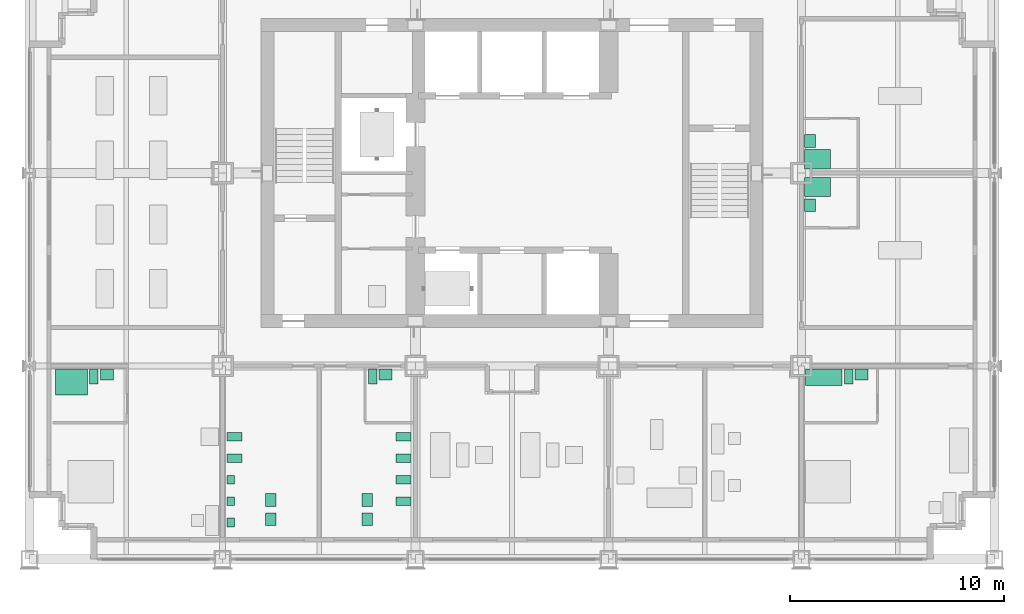
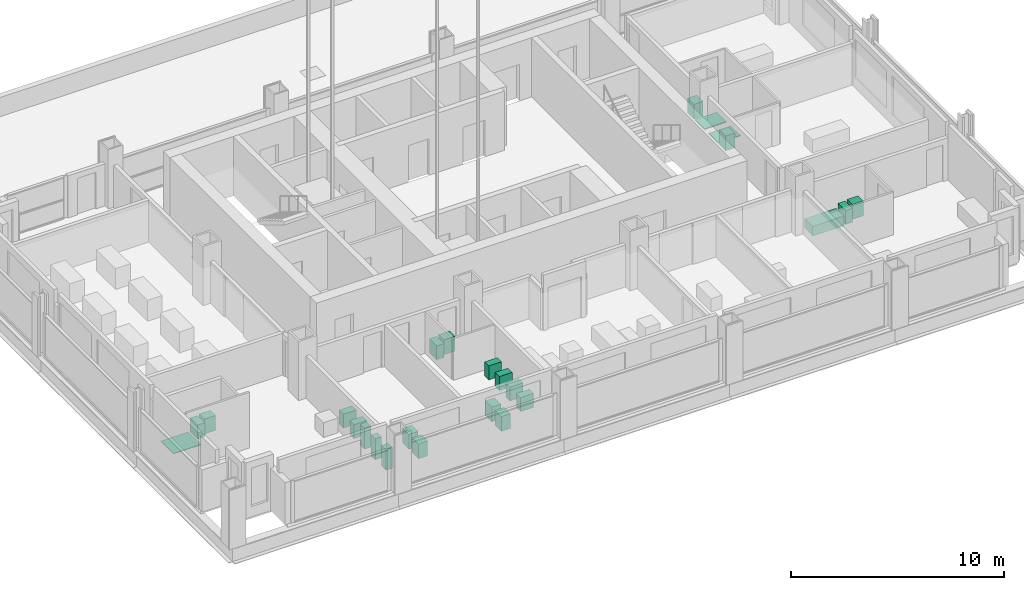
# One storey, part 13 of 15: 25 sanitary terminals.
"""IFC4 building model written with IfcOpenShell, lengths in metres."""

from ifc_helpers import new_model, si_unit, direction, frame, origin, origin_2d, place, context, subcontext, project, spatial, rectangle, extrude, element, save


model = new_model("IFC4")

# Units and contexts
model_context = context("Model", 3, precision=1e-05, world=origin(), true_north=direction((0.0, 1.0)))
body_context = subcontext(model_context, "Body", "Model", "MODEL_VIEW")
ifc_project = project(units=[si_unit("LENGTHUNIT", "METRE"), si_unit("AREAUNIT", "SQUARE_METRE"), si_unit("VOLUMEUNIT", "CUBIC_METRE"), si_unit("PLANEANGLEUNIT", "RADIAN"), si_unit("MASSUNIT", "GRAM", prefix="KILO")], contexts=[model_context])

# Site, building, storey
site_placement = place(None, origin())
site = spatial("IfcSite", under=ifc_project, at=site_placement, CompositionType="ELEMENT")
building_placement = place(site_placement, origin())
building = spatial("IfcBuilding", under=site, at=building_placement, Name="Loomwork Tower", CompositionType="ELEMENT")
storey_placement = place(building_placement, frame((0.0, 0.0, 160.39990234375)))
storey = spatial("IfcBuildingStorey", under=building, at=storey_placement, Name="L43", CompositionType="ELEMENT", Elevation=160.39990234375)

# Sanitary terminals
sanitary_terminal_1_placement = place(storey_placement, frame((1.949951171875, 8.25, 0.0), z_axis=(0.0, 0.0, 1.0), x_axis=(1.0, 0.0, 0.0)))
element("IfcSanitaryTerminal", 1, at=sanitary_terminal_1_placement, inside=storey, Name="Roll-in shower floor L43", PredefinedType="SHOWER", context=body_context, shape_type="SweptSolid", body=[
    extrude(rectangle(XDim=1.5, YDim=1.199951171875, at=origin_2d()), origin(), (0.0, 0.0, 1.0), 0.030029296875),
])
sanitary_terminal_2_placement = place(storey_placement, frame((3.0, 8.5, 0.0), z_axis=(0.0, 0.0, 1.0), x_axis=(1.0, 0.0, 0.0)))
element("IfcSanitaryTerminal", 2, at=sanitary_terminal_2_placement, inside=storey, Name="WC L43", PredefinedType="TOILETPAN", context=body_context, shape_type="SweptSolid", body=[
    extrude(rectangle(XDim=0.39990234375, YDim=0.699951171875, at=origin_2d()), origin(), (0.0, 0.0, 1.0), 0.800048828125),
])
sanitary_terminal_3_placement = place(storey_placement, frame((3.60009765625, 8.60009765625, 0.0), z_axis=(0.0, 0.0, 1.0), x_axis=(1.0, 0.0, 0.0)))
element("IfcSanitaryTerminal", 3, at=sanitary_terminal_3_placement, inside=storey, Name="Basin vanity L43", PredefinedType="WASHHANDBASIN", context=body_context, shape_type="SweptSolid", body=[
    extrude(rectangle(XDim=0.60009765625, YDim=0.5, at=origin_2d()), origin(), (0.0, 0.0, 1.0), 0.85009765625),
])
for number, where, z_axis, x_axis, name in (
    (4, (9.550048828125, 5.699951171875, 0.0), (0.0, 0.0, 1.0), (1.0, 0.0, 0.0), "WC L43"),
    (5, (9.550048828125, 4.699951171875, 0.0), (0.0, 0.0, 1.0), (1.0, 0.0, 0.0), "WC L43"),
):
    element("IfcSanitaryTerminal", number, at=place(storey_placement, frame(where, z_axis=z_axis, x_axis=x_axis)), inside=storey, Name=name, PredefinedType="TOILETPAN", context=body_context, shape_type="SweptSolid", body=[
        extrude(rectangle(XDim=0.699951171875, YDim=0.39990234375, at=origin_2d()), origin(), (0.0, 0.0, 1.0), 0.800048828125),
    ])
for number, where, z_axis, x_axis, name in (
    (6, (9.375, 3.699951171875, 0.0), (0.0, 0.0, 1.0), (1.0, 0.0, 0.0), "Urinal L43"),
    (7, (9.375, 2.699951171875, 0.0), (0.0, 0.0, 1.0), (1.0, 0.0, 0.0), "Urinal L43"),
    (8, (9.375, 1.699951171875, 0.0), (0.0, 0.0, 1.0), (1.0, 0.0, 0.0), "Urinal L43"),
):
    element("IfcSanitaryTerminal", number, at=place(storey_placement, frame(where, z_axis=z_axis, x_axis=x_axis)), inside=storey, Name=name, PredefinedType="URINAL", context=body_context, shape_type="SweptSolid", body=[
        extrude(rectangle(XDim=0.35009765625, YDim=0.39990234375, at=origin_2d()), origin(), (0.0, 0.0, 1.0), 1.199951171875),
    ])
for number, where, z_axis, x_axis, name in (
    (9, (11.25, 1.85009765625, 0.0), (0.0, 0.0, 1.0), (1.0, 0.0, 0.0), "Basin vanity L43"),
    (10, (11.25, 2.75, 0.0), (0.0, 0.0, 1.0), (1.0, 0.0, 0.0), "Basin vanity L43"),
):
    element("IfcSanitaryTerminal", number, at=place(storey_placement, frame(where, z_axis=z_axis, x_axis=x_axis)), inside=storey, Name=name, PredefinedType="WASHHANDBASIN", context=body_context, shape_type="SweptSolid", body=[
        extrude(rectangle(XDim=0.5, YDim=0.60009765625, at=origin_2d()), origin(), (0.0, 0.0, 1.0), 0.85009765625),
    ])
for number, where, z_axis, x_axis, name in (
    (11, (17.449951171875, 5.699951171875, 0.0), (0.0, 0.0, 1.0), (1.0, 0.0, 0.0), "WC L43"),
    (12, (17.449951171875, 4.699951171875, 0.0), (0.0, 0.0, 1.0), (1.0, 0.0, 0.0), "WC L43"),
    (13, (17.449951171875, 3.699951171875, 0.0), (0.0, 0.0, 1.0), (1.0, 0.0, 0.0), "WC L43"),
    (14, (17.449951171875, 2.699951171875, 0.0), (0.0, 0.0, 1.0), (1.0, 0.0, 0.0), "WC L43"),
):
    element("IfcSanitaryTerminal", number, at=place(storey_placement, frame(where, z_axis=z_axis, x_axis=x_axis)), inside=storey, Name=name, PredefinedType="TOILETPAN", context=body_context, shape_type="SweptSolid", body=[
        extrude(rectangle(XDim=0.699951171875, YDim=0.39990234375, at=origin_2d()), origin(), (0.0, 0.0, 1.0), 0.800048828125),
    ])
for number, where, z_axis, x_axis, name in (
    (15, (15.75, 1.85009765625, 0.0), (0.0, 0.0, 1.0), (1.0, 0.0, 0.0), "Basin vanity L43"),
    (16, (15.75, 2.75, 0.0), (0.0, 0.0, 1.0), (1.0, 0.0, 0.0), "Basin vanity L43"),
):
    element("IfcSanitaryTerminal", number, at=place(storey_placement, frame(where, z_axis=z_axis, x_axis=x_axis)), inside=storey, Name=name, PredefinedType="WASHHANDBASIN", context=body_context, shape_type="SweptSolid", body=[
        extrude(rectangle(XDim=0.5, YDim=0.60009765625, at=origin_2d()), origin(), (0.0, 0.0, 1.0), 0.85009765625),
    ])
sanitary_terminal_4_placement = place(storey_placement, frame((16.0, 8.5, 0.0), z_axis=(0.0, 0.0, 1.0), x_axis=(1.0, 0.0, 0.0)))
element("IfcSanitaryTerminal", 17, at=sanitary_terminal_4_placement, inside=storey, Name="WC L43", PredefinedType="TOILETPAN", context=body_context, shape_type="SweptSolid", body=[
    extrude(rectangle(XDim=0.39990234375, YDim=0.699951171875, at=origin_2d()), origin(), (0.0, 0.0, 1.0), 0.800048828125),
])
sanitary_terminal_5_placement = place(storey_placement, frame((16.60009765625, 8.60009765625, 0.0), z_axis=(0.0, 0.0, 1.0), x_axis=(1.0, 0.0, 0.0)))
element("IfcSanitaryTerminal", 18, at=sanitary_terminal_5_placement, inside=storey, Name="Basin vanity L43", PredefinedType="WASHHANDBASIN", context=body_context, shape_type="SweptSolid", body=[
    extrude(rectangle(XDim=0.60009765625, YDim=0.5, at=origin_2d()), origin(), (0.0, 0.0, 1.0), 0.85009765625),
])
sanitary_terminal_6_placement = place(storey_placement, frame((37.050048828125, 8.47509765625, 0.0), z_axis=(0.0, 0.0, 1.0), x_axis=(1.0, 0.0, 0.0)))
element("IfcSanitaryTerminal", 19, at=sanitary_terminal_6_placement, inside=storey, Name="Bath L43", PredefinedType="BATH", context=body_context, shape_type="SweptSolid", body=[
    extrude(rectangle(XDim=1.699951171875, YDim=0.75, at=origin_2d()), origin(), (0.0, 0.0, 1.0), 0.550048828125),
])
sanitary_terminal_7_placement = place(storey_placement, frame((38.199951171875, 8.5, 0.0), z_axis=(0.0, 0.0, 1.0), x_axis=(1.0, 0.0, 0.0)))
element("IfcSanitaryTerminal", 20, at=sanitary_terminal_7_placement, inside=storey, Name="WC L43", PredefinedType="TOILETPAN", context=body_context, shape_type="SweptSolid", body=[
    extrude(rectangle(XDim=0.39990234375, YDim=0.699951171875, at=origin_2d()), origin(), (0.0, 0.0, 1.0), 0.800048828125),
])
sanitary_terminal_8_placement = place(storey_placement, frame((38.800048828125, 8.60009765625, 0.0), z_axis=(0.0, 0.0, 1.0), x_axis=(1.0, 0.0, 0.0)))
element("IfcSanitaryTerminal", 21, at=sanitary_terminal_8_placement, inside=storey, Name="Basin vanity L43", PredefinedType="WASHHANDBASIN", context=body_context, shape_type="SweptSolid", body=[
    extrude(rectangle(XDim=0.60009765625, YDim=0.5, at=origin_2d()), origin(), (0.0, 0.0, 1.0), 0.85009765625),
])
sanitary_terminal_9_placement = place(storey_placement, frame((36.75, 17.35009765625, 0.0), z_axis=(0.0, 0.0, 1.0), x_axis=(1.0, 0.0, 0.0)))
element("IfcSanitaryTerminal", 22, at=sanitary_terminal_9_placement, inside=storey, Name="Shower tray L43", PredefinedType="SHOWER", context=body_context, shape_type="SweptSolid", body=[
    extrude(rectangle(XDim=1.199951171875, YDim=0.89990234375, at=origin_2d()), origin(), (0.0, 0.0, 1.0), 0.050048828125),
])
sanitary_terminal_10_placement = place(storey_placement, frame((36.39990234375, 16.5, 0.0), z_axis=(0.0, 0.0, 1.0), x_axis=(1.0, 0.0, 0.0)))
element("IfcSanitaryTerminal", 23, at=sanitary_terminal_10_placement, inside=storey, Name="Basin vanity L43", PredefinedType="WASHHANDBASIN", context=body_context, shape_type="SweptSolid", body=[
    extrude(rectangle(XDim=0.5, YDim=0.60009765625, at=origin_2d()), origin(), (0.0, 0.0, 1.0), 0.85009765625),
])
sanitary_terminal_11_placement = place(storey_placement, frame((36.75, 18.64990234375, 0.0), z_axis=(0.0, 0.0, 1.0), x_axis=(1.0, 0.0, 0.0)))
element("IfcSanitaryTerminal", 24, at=sanitary_terminal_11_placement, inside=storey, Name="Shower tray L43", PredefinedType="SHOWER", context=body_context, shape_type="SweptSolid", body=[
    extrude(rectangle(XDim=1.199951171875, YDim=0.89990234375, at=origin_2d()), origin(), (0.0, 0.0, 1.0), 0.050048828125),
])
sanitary_terminal_12_placement = place(storey_placement, frame((36.39990234375, 19.5, 0.0), z_axis=(0.0, 0.0, 1.0), x_axis=(1.0, 0.0, 0.0)))
element("IfcSanitaryTerminal", 25, at=sanitary_terminal_12_placement, inside=storey, Name="Basin vanity L43", PredefinedType="WASHHANDBASIN", context=body_context, shape_type="SweptSolid", body=[
    extrude(rectangle(XDim=0.5, YDim=0.60009765625, at=origin_2d()), origin(), (0.0, 0.0, 1.0), 0.85009765625),
])

save(model, "model.ifc")
